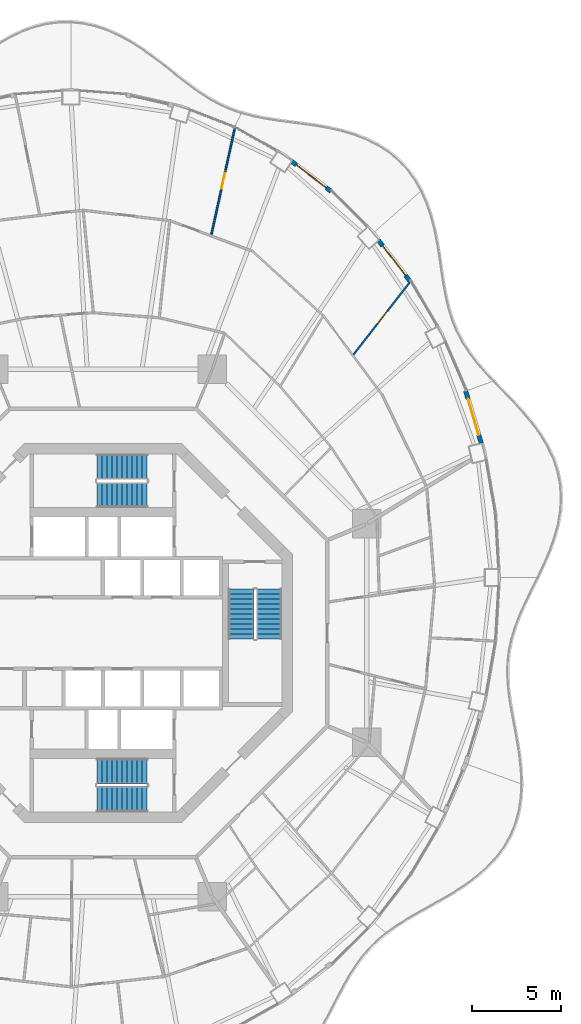
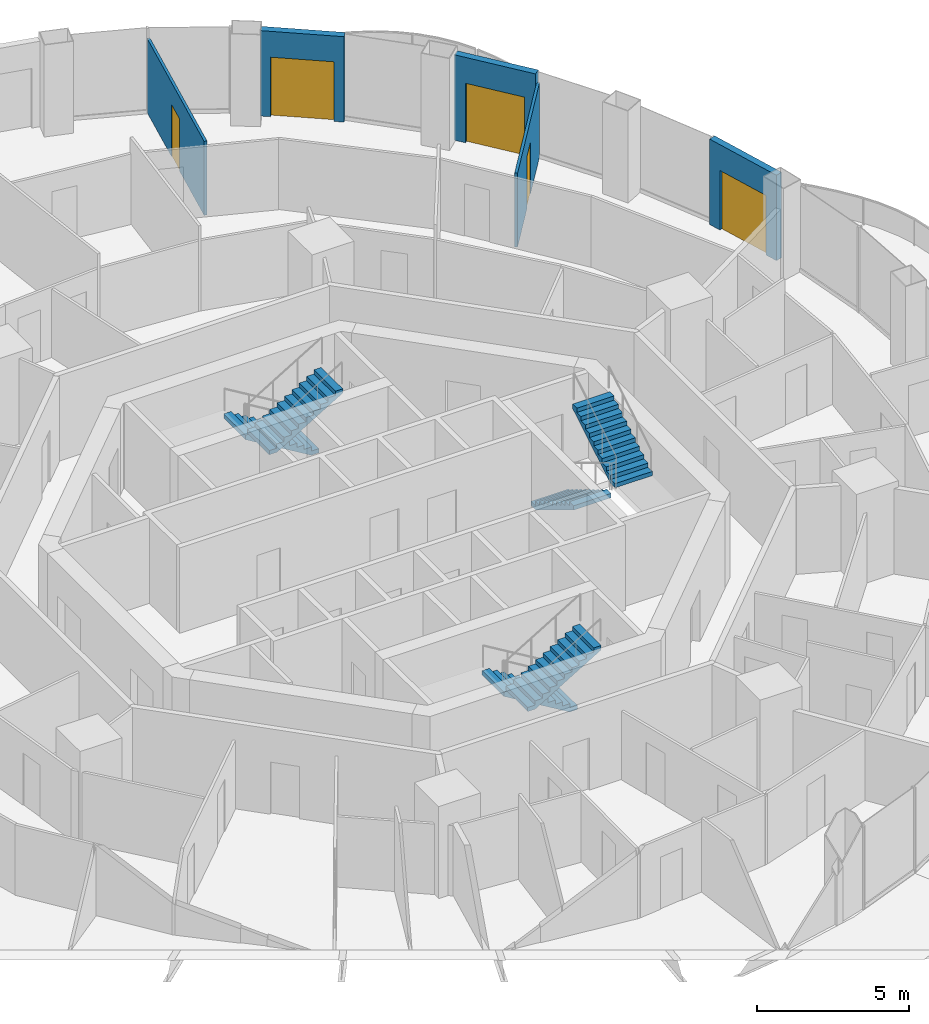
# One storey, part 15 of 18: 6 stair flights, 5 doors, 5 walls, 5 openings, 3 elements without a shape of their own.
"""IFC4 building model written with IfcOpenShell, lengths in metres."""

from ifc_helpers import new_model, si_unit, direction, frame, frame_2d, origin, place, context, subcontext, project, spatial, polyline, rectangle, outline, extrude, material, layer, layer_set, type_object, element, fill, aggregate, save


model = new_model("IFC4")

# Units and contexts
model_context = context("Model", 3, precision=1e-05, world=origin(), true_north=direction((0.0, 1.0)))
body_context = subcontext(model_context, "Body", "Model", "MODEL_VIEW")
ifc_project = project(units=[si_unit("LENGTHUNIT", "METRE"), si_unit("AREAUNIT", "SQUARE_METRE"), si_unit("VOLUMEUNIT", "CUBIC_METRE"), si_unit("PLANEANGLEUNIT", "RADIAN"), si_unit("MASSUNIT", "GRAM", prefix="KILO")], contexts=[model_context])

# Site, building, storey
site_placement = place(None, origin())
site = spatial("IfcSite", under=ifc_project, at=site_placement, CompositionType="ELEMENT")
building_placement = place(site_placement, origin())
building = spatial("IfcBuilding", under=site, at=building_placement, Name="Nagisa Residences", CompositionType="ELEMENT")
storey_placement = place(building_placement, frame((0.0, 0.0, 234.39990234375)))
storey = spatial("IfcBuildingStorey", under=building, at=storey_placement, Name="L59", CompositionType="ELEMENT", Elevation=234.39990234375)

# Wall, opening, door
ifc_material_1 = material(Name="Gypsum board on steel studs", Category="steel")
ifc_layer_1 = layer(ifc_material_1, 0.10009765625)
ifc_layer_set_1 = layer_set([ifc_layer_1], Name="Apartment partition 100")
wall_type_1 = type_object("IfcWallType", Name="Apartment partition 100", PredefinedType="PARTITIONING", material=ifc_layer_set_1)
wall_1_placement = place(storey_placement, frame((14.029052734375, 15.597900390625, 0.0), z_axis=(0.0, 0.0, 1.0), x_axis=(0.614558710688, 0.788871086501, 0.0)))
wall_1 = element("IfcWall", 1, at=wall_1_placement, inside=storey, type_object=wall_type_1, Name="wall:L59:u28", PredefinedType="PARTITIONING", context=body_context, shape_type="SweptSolid", body=[
    extrude(rectangle(XDim=5.276123046875, YDim=0.10009765625, at=frame_2d((2.63818359375, 0.0))), origin(), (0.0, 0.0, 1.0), 2.983154296875),
])
opening_1_placement = place(wall_1_placement, frame((2.18798828125, 0.0, 0.0)))
opening_1 = element("IfcOpeningElement", 2, at=opening_1_placement, cuts=wall_1, Name="Opening L59-U54", PredefinedType="OPENING", context=body_context, shape_type="SweptSolid", body=[
    extrude(rectangle(XDim=0.89990234375, YDim=2.10009765625, at=frame_2d((0.449951171875, 1.050048828125))), frame((0.0, 0.06005859375, 0.0), z_axis=(0.0, -1.0, 0.0), x_axis=(1.0, 0.0, 0.0)), (0.0, 0.0, 1.0), 0.1201171875),
])
ifc_material_2 = material(Name="Timber door set", Category="wood")
door_type_1 = type_object("IfcDoorType", Name="Apartment door 900x2100", OperationType="NOTDEFINED", PredefinedType="DOOR", material=ifc_material_2)
door_1_placement = place(opening_1_placement, frame((0.89990234375, 0.0, 0.0), x_axis=(-1.0, 0.0, 0.0)))
door_1 = element("IfcDoor", 3, at=door_1_placement, inside=storey, type_object=door_type_1, Name="Door to master bedroom, Apartment 59E", OperationType="SINGLE_SWING_LEFT", OverallHeight=2.10009765625, OverallWidth=0.89990234375, PredefinedType="DOOR", context=body_context, shape_type="SweptSolid", body=[
    extrude(rectangle(XDim=0.89990234375, YDim=2.10009765625, at=frame_2d((0.449951171875, 1.050048828125))), frame((0.0, 0.02490234375, 0.0), z_axis=(0.0, -1.0, 0.0), x_axis=(1.0, 0.0, 0.0)), (0.0, 0.0, 1.0), 0.050048828125),
])
fill(opening_1, door_1)

wall_2_placement = place(storey_placement, frame((6.0673828125, 22.301025390625, 0.0), z_axis=(0.0, 0.0, 1.0), x_axis=(0.214401821533, 0.976745544614, 0.0)))
wall_2 = element("IfcWall", 4, at=wall_2_placement, inside=storey, type_object=wall_type_1, Name="wall:L59:u36", PredefinedType="PARTITIONING", context=body_context, shape_type="SweptSolid", body=[
    extrude(rectangle(XDim=6.2275390625, YDim=0.10009765625, at=frame_2d((3.11376953125, 0.0))), origin(), (0.0, 0.0, 1.0), 2.983154296875),
])
opening_2_placement = place(wall_2_placement, frame((2.663818359375, 0.0, 0.0)))
opening_2 = element("IfcOpeningElement", 5, at=opening_2_placement, cuts=wall_2, Name="Opening L59-U51", PredefinedType="OPENING", context=body_context, shape_type="SweptSolid", body=[
    extrude(rectangle(XDim=0.89990234375, YDim=2.10009765625, at=frame_2d((0.449951171875, 1.050048828125))), frame((0.0, 0.06005859375, 0.0), z_axis=(0.0, -1.0, 0.0), x_axis=(1.0, 0.0, 0.0)), (0.0, 0.0, 1.0), 0.1201171875),
])
door_2_placement = place(opening_2_placement, frame((0.89990234375, 0.0, 0.0), x_axis=(-1.0, 0.0, 0.0)))
door_2 = element("IfcDoor", 6, at=door_2_placement, inside=storey, type_object=door_type_1, Name="Door to living room, Apartment 59E", OperationType="SINGLE_SWING_RIGHT", OverallHeight=2.10009765625, OverallWidth=0.89990234375, PredefinedType="DOOR", context=body_context, shape_type="SweptSolid", body=[
    extrude(rectangle(XDim=0.89990234375, YDim=2.10009765625, at=frame_2d((0.449951171875, 1.050048828125))), frame((0.0, 0.02490234375, 0.0), z_axis=(0.0, -1.0, 0.0), x_axis=(1.0, 0.0, 0.0)), (0.0, 0.0, 1.0), 0.050048828125),
])
fill(opening_2, door_2)

ifc_material_3 = material(Name="Precast concrete C40/50", Category="concrete")
ifc_layer_2 = layer(ifc_material_3, 0.25)
ifc_layer_set_2 = layer_set([ifc_layer_2], Name="BALCONY DOOR WALL 250")
wall_type_2 = type_object("IfcWallType", Name="BALCONY DOOR WALL 250", PredefinedType="SOLIDWALL", material=ifc_layer_set_2)
wall_3_placement = place(storey_placement, frame((20.318115234375, 13.563720703125, 0.0), z_axis=(0.0, 0.0, 1.0), x_axis=(0.285785716255, -0.958293548128, 0.0)))
wall_3 = element("IfcWall", 7, at=wall_3_placement, inside=storey, type_object=wall_type_2, Name="wall:L59:bay02", PredefinedType="SOLIDWALL", context=body_context, shape_type="SweptSolid", body=[
    extrude(rectangle(XDim=3.040283203125, YDim=0.25, at=frame_2d((1.52001953125, 0.0))), origin(), (0.0, 0.0, 1.0), 3.440185546875),
])
opening_3_placement = place(wall_3_placement, frame((0.47021484375, 0.0, 0.0)))
opening_3 = element("IfcOpeningElement", 8, at=opening_3_placement, cuts=wall_3, Name="Opening BD-L59-01", PredefinedType="OPENING", context=body_context, shape_type="SweptSolid", body=[
    extrude(rectangle(XDim=2.10009765625, YDim=2.39990234375, at=frame_2d((1.050048828125, 1.199951171875))), frame((0.0, 0.135009765625, 0.0), z_axis=(0.0, -1.0, 0.0), x_axis=(1.0, 0.0, 0.0)), (0.0, 0.0, 1.0), 0.27001953125),
])
ifc_material_4 = material(Name="Aluminium and clear glass", Category="aluminium")
door_type_2 = type_object("IfcDoorType", Name="BALCONY SLIDING DOOR 2100x2400", OperationType="SLIDING_TO_LEFT", PredefinedType="DOOR", material=ifc_material_4)
door_3_placement = place(opening_3_placement, origin())
door_3 = element("IfcDoor", 9, at=door_3_placement, inside=storey, type_object=door_type_2, Name="door:L59:bay02", OperationType="SLIDING_TO_LEFT", OverallHeight=2.39990234375, OverallWidth=2.10009765625, PredefinedType="DOOR", context=body_context, shape_type="SweptSolid", body=[
    extrude(rectangle(XDim=2.10009765625, YDim=2.39990234375, at=frame_2d((1.050048828125, 1.199951171875))), frame((0.0, 0.02490234375, 0.0), z_axis=(0.0, -1.0, 0.0), x_axis=(1.0, 0.0, 0.0)), (0.0, 0.0, 1.0), 0.050048828125),
])
fill(opening_3, door_3)

wall_4_placement = place(storey_placement, frame((15.42626953125, 22.012939453125, 0.0), z_axis=(0.0, 0.0, 1.0), x_axis=(0.610438565676, -0.792063607001, 0.0)))
wall_4 = element("IfcWall", 10, at=wall_4_placement, inside=storey, type_object=wall_type_2, Name="wall:L59:bay05", PredefinedType="SOLIDWALL", context=body_context, shape_type="SweptSolid", body=[
    extrude(rectangle(XDim=2.90087890625, YDim=0.25, at=frame_2d((1.450439453125, 0.0))), origin(), (0.0, 0.0, 1.0), 3.440185546875),
])
opening_4_placement = place(wall_4_placement, frame((0.400390625, 0.0, 0.0)))
opening_4 = element("IfcOpeningElement", 11, at=opening_4_placement, cuts=wall_4, Name="Opening BD-L59-02", PredefinedType="OPENING", context=body_context, shape_type="SweptSolid", body=[
    extrude(rectangle(XDim=2.10009765625, YDim=2.39990234375, at=frame_2d((1.050048828125, 1.199951171875))), frame((0.0, 0.135009765625, 0.0), z_axis=(0.0, -1.0, 0.0), x_axis=(1.0, 0.0, 0.0)), (0.0, 0.0, 1.0), 0.27001953125),
])
door_4_placement = place(opening_4_placement, origin())
door_4 = element("IfcDoor", 12, at=door_4_placement, inside=storey, type_object=door_type_2, Name="door:L59:bay05", OperationType="SLIDING_TO_LEFT", OverallHeight=2.39990234375, OverallWidth=2.10009765625, PredefinedType="DOOR", context=body_context, shape_type="SweptSolid", body=[
    extrude(rectangle(XDim=2.10009765625, YDim=2.39990234375, at=frame_2d((1.050048828125, 1.199951171875))), frame((0.0, 0.02490234375, 0.0), z_axis=(0.0, -1.0, 0.0), x_axis=(1.0, 0.0, 0.0)), (0.0, 0.0, 1.0), 0.050048828125),
])
fill(opening_4, door_4)

wall_5_placement = place(storey_placement, frame((10.557373046875, 26.43603515625, 0.0), z_axis=(0.0, 0.0, 1.0), x_axis=(0.796022158395, -0.605267480825, 0.0)))
wall_5 = element("IfcWall", 13, at=wall_5_placement, inside=storey, type_object=wall_type_2, Name="wall:L59:bay07", PredefinedType="SOLIDWALL", context=body_context, shape_type="SweptSolid", body=[
    extrude(rectangle(XDim=2.788818359375, YDim=0.25, at=frame_2d((1.39453125, 0.0))), origin(), (0.0, 0.0, 1.0), 3.440185546875),
])
opening_5_placement = place(wall_5_placement, frame((0.34423828125, 0.0, 0.0)))
opening_5 = element("IfcOpeningElement", 14, at=opening_5_placement, cuts=wall_5, Name="Opening BD-L59-03", PredefinedType="OPENING", context=body_context, shape_type="SweptSolid", body=[
    extrude(rectangle(XDim=2.10009765625, YDim=2.39990234375, at=frame_2d((1.050048828125, 1.199951171875))), frame((0.0, 0.135009765625, 0.0), z_axis=(0.0, -1.0, 0.0), x_axis=(1.0, 0.0, 0.0)), (0.0, 0.0, 1.0), 0.27001953125),
])
door_5_placement = place(opening_5_placement, origin())
door_5 = element("IfcDoor", 15, at=door_5_placement, inside=storey, type_object=door_type_2, Name="door:L59:bay07", OperationType="SLIDING_TO_LEFT", OverallHeight=2.39990234375, OverallWidth=2.10009765625, PredefinedType="DOOR", context=body_context, shape_type="SweptSolid", body=[
    extrude(rectangle(XDim=2.10009765625, YDim=2.39990234375, at=frame_2d((1.050048828125, 1.199951171875))), frame((0.0, 0.02490234375, 0.0), z_axis=(0.0, -1.0, 0.0), x_axis=(1.0, 0.0, 0.0)), (0.0, 0.0, 1.0), 0.050048828125),
])
fill(opening_5, door_5)

# Stair, stair flights
ifc_material_5 = material(Name="Concrete C60", Category="concrete")
stair_type = type_object("IfcStairType", Name="Exit stair", PredefinedType="HALF_TURN_STAIR", material=ifc_material_5)
stair_1_placement = place(storey_placement, origin())
stair_1 = element("IfcStair", 16, at=stair_1_placement, inside=storey, type_object=stair_type, Name="L59 Exit stair E", PredefinedType="HALF_TURN_STAIR")
ifc_material_6 = material(Name="Concrete C60", Category="concrete")
stair_flight_type = type_object("IfcStairFlightType", Name="Exit stair flight", PredefinedType="STRAIGHT", material=ifc_material_6)
stair_flight_1_placement = place(storey_placement, frame((7.737060546875, 2.47509765625, 0.0), z_axis=(0.0, 0.0, 1.0), x_axis=(0.0, -1.0, 0.0)))
stair_flight_1 = element("IfcStairFlight", 17, at=stair_flight_1_placement, type_object=stair_flight_type, Name="ST-E flight 1", NumberOfRisers=11, NumberOfTreads=10, PredefinedType="STRAIGHT", RiserHeight=0.168181818, TreadLength=0.28, context=body_context, shape_type="SweptSolid", body=[
    extrude(outline(polyline([(0.0, 0.0), (0.0, 0.168212890625), (0.280029296875, 0.168212890625), (0.280029296875, 0.33642578125), (0.56005859375, 0.33642578125), (0.56005859375, 0.504638671875), (0.840087890625, 0.504638671875), (0.840087890625, 0.672607421875), (1.1201171875, 0.672607421875), (1.1201171875, 0.8408203125), (1.39990234375, 0.8408203125), (1.39990234375, 1.009033203125), (1.679931640625, 1.009033203125), (1.679931640625, 1.17724609375), (1.9599609375, 1.17724609375), (1.9599609375, 1.345458984375), (2.239990234375, 1.345458984375), (2.239990234375, 1.513671875), (2.52001953125, 1.513671875), (2.52001953125, 1.681884765625), (2.800048828125, 1.681884765625), (2.800048828125, 1.85009765625), (2.800048828125, 1.5068359375), (0.291015625, 0.0), (0.0, 0.0)])), frame((0.0, 0.71240234375, 0.0), z_axis=(0.0, -1.0, 0.0), x_axis=(1.0, 0.0, 0.0)), (0.0, 0.0, 1.0), 1.425048828125),
])
stair_flight_2_placement = place(storey_placement, frame((9.31201171875, -0.324951171875, 1.85009765625), z_axis=(0.0, 0.0, 1.0), x_axis=(0.0, 1.0, 0.0)))
stair_flight_2 = element("IfcStairFlight", 18, at=stair_flight_2_placement, type_object=stair_flight_type, Name="ST-E flight 2", NumberOfRisers=11, NumberOfTreads=10, PredefinedType="STRAIGHT", RiserHeight=0.168181818, TreadLength=0.28, context=body_context, shape_type="SweptSolid", body=[
    extrude(outline(polyline([(0.0, 0.0), (0.0, 0.168212890625), (0.280029296875, 0.168212890625), (0.280029296875, 0.33642578125), (0.56005859375, 0.33642578125), (0.56005859375, 0.504638671875), (0.840087890625, 0.504638671875), (0.840087890625, 0.672607421875), (1.1201171875, 0.672607421875), (1.1201171875, 0.8408203125), (1.39990234375, 0.8408203125), (1.39990234375, 1.009033203125), (1.679931640625, 1.009033203125), (1.679931640625, 1.17724609375), (1.9599609375, 1.17724609375), (1.9599609375, 1.345458984375), (2.239990234375, 1.345458984375), (2.239990234375, 1.513671875), (2.52001953125, 1.513671875), (2.52001953125, 1.681884765625), (2.800048828125, 1.681884765625), (2.800048828125, 1.85009765625), (2.800048828125, 1.5068359375), (0.291015625, 0.0), (0.0, 0.0)])), frame((0.0, 0.71240234375, 0.0), z_axis=(0.0, -1.0, 0.0), x_axis=(1.0, 0.0, 0.0)), (0.0, 0.0, 1.0), 1.425048828125),
])
aggregate(stair_1, [stair_flight_1, stair_flight_2])

stair_2_placement = place(storey_placement, origin())
stair_2 = element("IfcStair", 19, at=stair_2_placement, inside=storey, type_object=stair_type, Name="L59 Exit stair N", PredefinedType="HALF_TURN_STAIR")
stair_flight_3_placement = place(storey_placement, frame((2.47509765625, 9.31201171875, 0.0), z_axis=(0.0, 0.0, 1.0), x_axis=(-1.0, 0.0, 0.0)))
stair_flight_3 = element("IfcStairFlight", 20, at=stair_flight_3_placement, type_object=stair_flight_type, Name="ST-N flight 1", NumberOfRisers=11, NumberOfTreads=10, PredefinedType="STRAIGHT", RiserHeight=0.168181818, TreadLength=0.28, context=body_context, shape_type="SweptSolid", body=[
    extrude(outline(polyline([(0.0, 0.0), (0.0, 0.168212890625), (0.280029296875, 0.168212890625), (0.280029296875, 0.33642578125), (0.56005859375, 0.33642578125), (0.56005859375, 0.504638671875), (0.840087890625, 0.504638671875), (0.840087890625, 0.672607421875), (1.1201171875, 0.672607421875), (1.1201171875, 0.8408203125), (1.39990234375, 0.8408203125), (1.39990234375, 1.009033203125), (1.679931640625, 1.009033203125), (1.679931640625, 1.17724609375), (1.9599609375, 1.17724609375), (1.9599609375, 1.345458984375), (2.239990234375, 1.345458984375), (2.239990234375, 1.513671875), (2.52001953125, 1.513671875), (2.52001953125, 1.681884765625), (2.800048828125, 1.681884765625), (2.800048828125, 1.85009765625), (2.800048828125, 1.5068359375), (0.291015625, 0.0), (0.0, 0.0)])), frame((0.0, 0.71240234375, 0.0), z_axis=(0.0, -1.0, 0.0), x_axis=(1.0, 0.0, 0.0)), (0.0, 0.0, 1.0), 1.425048828125),
])
stair_flight_4_placement = place(storey_placement, frame((-0.324951171875, 7.737060546875, 1.85009765625), z_axis=(0.0, 0.0, 1.0), x_axis=(1.0, 0.0, 0.0)))
stair_flight_4 = element("IfcStairFlight", 21, at=stair_flight_4_placement, type_object=stair_flight_type, Name="ST-N flight 2", NumberOfRisers=11, NumberOfTreads=10, PredefinedType="STRAIGHT", RiserHeight=0.168181818, TreadLength=0.28, context=body_context, shape_type="SweptSolid", body=[
    extrude(outline(polyline([(0.0, 0.0), (0.0, 0.168212890625), (0.280029296875, 0.168212890625), (0.280029296875, 0.33642578125), (0.56005859375, 0.33642578125), (0.56005859375, 0.504638671875), (0.840087890625, 0.504638671875), (0.840087890625, 0.672607421875), (1.1201171875, 0.672607421875), (1.1201171875, 0.8408203125), (1.39990234375, 0.8408203125), (1.39990234375, 1.009033203125), (1.679931640625, 1.009033203125), (1.679931640625, 1.17724609375), (1.9599609375, 1.17724609375), (1.9599609375, 1.345458984375), (2.239990234375, 1.345458984375), (2.239990234375, 1.513671875), (2.52001953125, 1.513671875), (2.52001953125, 1.681884765625), (2.800048828125, 1.681884765625), (2.800048828125, 1.85009765625), (2.800048828125, 1.5068359375), (0.291015625, 0.0), (0.0, 0.0)])), frame((0.0, 0.71240234375, 0.0), z_axis=(0.0, -1.0, 0.0), x_axis=(1.0, 0.0, 0.0)), (0.0, 0.0, 1.0), 1.425048828125),
])
aggregate(stair_2, [stair_flight_3, stair_flight_4])

stair_3_placement = place(storey_placement, origin())
stair_3 = element("IfcStair", 22, at=stair_3_placement, inside=storey, type_object=stair_type, Name="L59 Exit stair S", PredefinedType="HALF_TURN_STAIR")
stair_flight_5_placement = place(storey_placement, frame((2.47509765625, -7.737060546875, 0.0), z_axis=(0.0, 0.0, 1.0), x_axis=(-1.0, 0.0, 0.0)))
stair_flight_5 = element("IfcStairFlight", 23, at=stair_flight_5_placement, type_object=stair_flight_type, Name="ST-S flight 1", NumberOfRisers=11, NumberOfTreads=10, PredefinedType="STRAIGHT", RiserHeight=0.168181818, TreadLength=0.28, context=body_context, shape_type="SweptSolid", body=[
    extrude(outline(polyline([(0.0, 0.0), (0.0, 0.168212890625), (0.280029296875, 0.168212890625), (0.280029296875, 0.33642578125), (0.56005859375, 0.33642578125), (0.56005859375, 0.504638671875), (0.840087890625, 0.504638671875), (0.840087890625, 0.672607421875), (1.1201171875, 0.672607421875), (1.1201171875, 0.8408203125), (1.39990234375, 0.8408203125), (1.39990234375, 1.009033203125), (1.679931640625, 1.009033203125), (1.679931640625, 1.17724609375), (1.9599609375, 1.17724609375), (1.9599609375, 1.345458984375), (2.239990234375, 1.345458984375), (2.239990234375, 1.513671875), (2.52001953125, 1.513671875), (2.52001953125, 1.681884765625), (2.800048828125, 1.681884765625), (2.800048828125, 1.85009765625), (2.800048828125, 1.5068359375), (0.291015625, 0.0), (0.0, 0.0)])), frame((0.0, 0.71240234375, 0.0), z_axis=(0.0, -1.0, 0.0), x_axis=(1.0, 0.0, 0.0)), (0.0, 0.0, 1.0), 1.425048828125),
])
stair_flight_6_placement = place(storey_placement, frame((-0.324951171875, -9.31201171875, 1.85009765625), z_axis=(0.0, 0.0, 1.0), x_axis=(1.0, 0.0, 0.0)))
stair_flight_6 = element("IfcStairFlight", 24, at=stair_flight_6_placement, type_object=stair_flight_type, Name="ST-S flight 2", NumberOfRisers=11, NumberOfTreads=10, PredefinedType="STRAIGHT", RiserHeight=0.168181818, TreadLength=0.28, context=body_context, shape_type="SweptSolid", body=[
    extrude(outline(polyline([(0.0, 0.0), (0.0, 0.168212890625), (0.280029296875, 0.168212890625), (0.280029296875, 0.33642578125), (0.56005859375, 0.33642578125), (0.56005859375, 0.504638671875), (0.840087890625, 0.504638671875), (0.840087890625, 0.672607421875), (1.1201171875, 0.672607421875), (1.1201171875, 0.8408203125), (1.39990234375, 0.8408203125), (1.39990234375, 1.009033203125), (1.679931640625, 1.009033203125), (1.679931640625, 1.17724609375), (1.9599609375, 1.17724609375), (1.9599609375, 1.345458984375), (2.239990234375, 1.345458984375), (2.239990234375, 1.513671875), (2.52001953125, 1.513671875), (2.52001953125, 1.681884765625), (2.800048828125, 1.681884765625), (2.800048828125, 1.85009765625), (2.800048828125, 1.5068359375), (0.291015625, 0.0), (0.0, 0.0)])), frame((0.0, 0.71240234375, 0.0), z_axis=(0.0, -1.0, 0.0), x_axis=(1.0, 0.0, 0.0)), (0.0, 0.0, 1.0), 1.425048828125),
])
aggregate(stair_3, [stair_flight_5, stair_flight_6])

save(model, "model.ifc")
